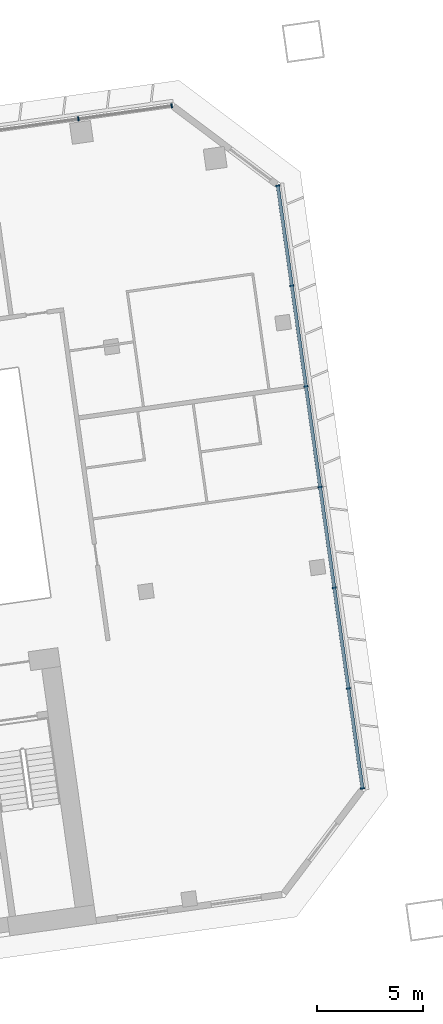
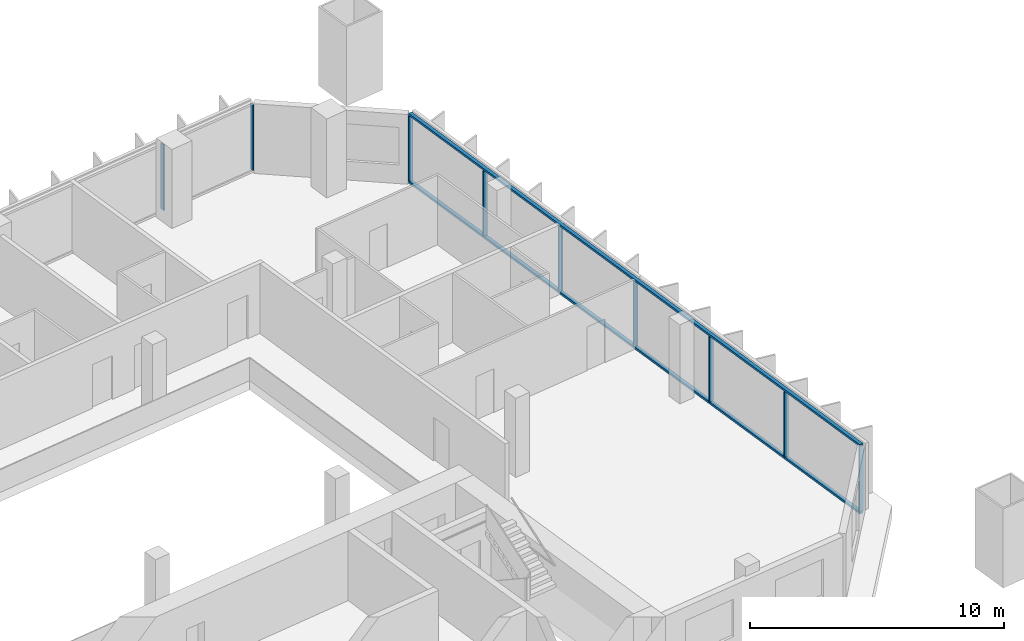
# One storey, part 11 of 24: 11 members, 2 elements without a shape of their own.
"""IFC4 building model written with IfcOpenShell, lengths in metres."""

from ifc_helpers import new_model, si_unit, direction, frame, origin, origin_2d, place, context, subcontext, project, spatial, rectangle, extrude, material, material_profile, profile_set, type_object, element, aggregate, save


model = new_model("IFC4")

# Units and contexts
model_context = context("Model", 3, precision=1e-05, world=origin(), true_north=direction((0.0, 1.0)))
body_context = subcontext(model_context, "Body", "Model", "MODEL_VIEW")
ifc_project = project(units=[si_unit("LENGTHUNIT", "METRE"), si_unit("AREAUNIT", "SQUARE_METRE"), si_unit("VOLUMEUNIT", "CUBIC_METRE"), si_unit("PLANEANGLEUNIT", "RADIAN"), si_unit("MASSUNIT", "GRAM", prefix="KILO")], contexts=[model_context])

# Site, building, storey
site_placement = place(None, origin())
site = spatial("IfcSite", under=ifc_project, at=site_placement, CompositionType="ELEMENT")
building_placement = place(site_placement, origin())
building = spatial("IfcBuilding", under=site, at=building_placement, Name="Mirante Cascada Hotel Towers", CompositionType="ELEMENT")
storey_placement = place(building_placement, frame((0.0, 0.0, 85.1)))
storey = spatial("IfcBuildingStorey", under=building, at=storey_placement, Name="L18", CompositionType="ELEMENT", Elevation=85.1)

# Curtain wall, members
ifc_material_1 = material(Name="Aluminium mullion and transom frame with clear laminated glass", Category="aluminium")
curtain_wall_type_1 = type_object("IfcCurtainWallType", Name="Ribbon curtain wall ECW1", PredefinedType="NOTDEFINED", material=ifc_material_1)
curtain_wall_1_placement = place(storey_placement, origin())
curtain_wall_1 = element("IfcCurtainWall", 1, at=curtain_wall_1_placement, inside=storey, type_object=curtain_wall_type_1, Name="Front ribbon wall T2 L18", PredefinedType="NOTDEFINED")
ifc_material_2 = material(Name="Anodised aluminium extrusion", Category="aluminium")
ifc_material_profile_1 = material_profile(ifc_material_2, rectangle(XDim=0.2, YDim=0.065, at=origin_2d()), Name="ECW1 MULLION 65x200")
ifc_profile_set_1 = profile_set([ifc_material_profile_1], Name="Anodised aluminium extrusion")
member_type_1 = type_object("IfcMemberType", Name="ECW1 mullion 65x200", PredefinedType="MULLION", material=ifc_profile_set_1)
member_1_placement = place(storey_placement, frame((94.126, 26.0476, 0.1), z_axis=(0.0, 0.0, 1.0), x_axis=(0.1391731, -0.9902681, 0.0)))
member_1 = element("IfcMember", 2, at=member_1_placement, type_object=member_type_1, Name="ECW1 mullion 1", PredefinedType="MULLION", context=body_context, shape_type="SweptSolid", body=[
    extrude(rectangle(XDim=0.2, YDim=0.065, at=origin_2d()), origin(), (0.0, 0.0, 1.0), 3.15),
])
member_2_placement = place(storey_placement, frame((89.7107, 25.427, 0.1), z_axis=(0.0, 0.0, 1.0), x_axis=(0.1391731, -0.9902681, 0.0)))
member_2 = element("IfcMember", 3, at=member_2_placement, type_object=member_type_1, Name="ECW1 mullion 2", PredefinedType="MULLION", context=body_context, shape_type="SweptSolid", body=[
    extrude(rectangle(XDim=0.2, YDim=0.065, at=origin_2d()), origin(), (0.0, 0.0, 1.0), 3.15),
])
aggregate(curtain_wall_1, [member_1, member_2])

ifc_material_3 = material(Name="Aluminium mullion and transom frame with clear laminated glass", Category="aluminium")
curtain_wall_type_2 = type_object("IfcCurtainWallType", Name="End ribbon curtain wall ECW2", PredefinedType="NOTDEFINED", material=ifc_material_3)
curtain_wall_2_placement = place(storey_placement, origin())
curtain_wall_2 = element("IfcCurtainWall", 4, at=curtain_wall_2_placement, inside=storey, type_object=curtain_wall_type_2, Name="Outer end wall T2 L18", PredefinedType="NOTDEFINED")
ifc_material_4 = material(Name="Anodised aluminium extrusion", Category="aluminium")
ifc_material_profile_2 = material_profile(ifc_material_4, rectangle(XDim=0.2, YDim=0.065, at=origin_2d()), Name="ECW2 MULLION 65x200")
ifc_profile_set_2 = profile_set([ifc_material_profile_2], Name="Anodised aluminium extrusion")
member_type_2 = type_object("IfcMemberType", Name="ECW2 mullion 65x200", PredefinedType="MULLION", material=ifc_profile_set_2)
member_3_placement = place(storey_placement, frame((103.1556, -6.2656, 0.1), z_axis=(0.0, 0.0, 1.0), x_axis=(-0.9902681, -0.1391731, 0.0)))
member_3 = element("IfcMember", 5, at=member_3_placement, type_object=member_type_2, Name="ECW2 mullion 1", PredefinedType="MULLION", context=body_context, shape_type="SweptSolid", body=[
    extrude(rectangle(XDim=0.2, YDim=0.065, at=origin_2d()), origin(), (0.0, 0.0, 1.0), 3.15),
])
member_4_placement = place(storey_placement, frame((102.4903, -1.532, 0.1), z_axis=(0.0, 0.0, 1.0), x_axis=(-0.9902681, -0.1391731, 0.0)))
member_4 = element("IfcMember", 6, at=member_4_placement, type_object=member_type_2, Name="ECW2 mullion 2", PredefinedType="MULLION", context=body_context, shape_type="SweptSolid", body=[
    extrude(rectangle(XDim=0.2, YDim=0.065, at=origin_2d()), origin(), (0.0, 0.0, 1.0), 3.15),
])
member_5_placement = place(storey_placement, frame((101.8205, 3.2338, 0.1), z_axis=(0.0, 0.0, 1.0), x_axis=(-0.9902681, -0.1391731, 0.0)))
member_5 = element("IfcMember", 7, at=member_5_placement, type_object=member_type_2, Name="ECW2 mullion 3", PredefinedType="MULLION", context=body_context, shape_type="SweptSolid", body=[
    extrude(rectangle(XDim=0.2, YDim=0.065, at=origin_2d()), origin(), (0.0, 0.0, 1.0), 3.15),
])
member_6_placement = place(storey_placement, frame((101.1508, 7.9996, 0.1), z_axis=(0.0, 0.0, 1.0), x_axis=(-0.9902681, -0.1391731, 0.0)))
member_6 = element("IfcMember", 8, at=member_6_placement, type_object=member_type_2, Name="ECW2 mullion 4", PredefinedType="MULLION", context=body_context, shape_type="SweptSolid", body=[
    extrude(rectangle(XDim=0.2, YDim=0.065, at=origin_2d()), origin(), (0.0, 0.0, 1.0), 3.15),
])
member_7_placement = place(storey_placement, frame((100.481, 12.7654, 0.1), z_axis=(0.0, 0.0, 1.0), x_axis=(-0.9902681, -0.1391731, 0.0)))
member_7 = element("IfcMember", 9, at=member_7_placement, type_object=member_type_2, Name="ECW2 mullion 5", PredefinedType="MULLION", context=body_context, shape_type="SweptSolid", body=[
    extrude(rectangle(XDim=0.2, YDim=0.065, at=origin_2d()), origin(), (0.0, 0.0, 1.0), 3.15),
])
member_8_placement = place(storey_placement, frame((99.8112, 17.5312, 0.1), z_axis=(0.0, 0.0, 1.0), x_axis=(-0.9902681, -0.1391731, 0.0)))
member_8 = element("IfcMember", 10, at=member_8_placement, type_object=member_type_2, Name="ECW2 mullion 6", PredefinedType="MULLION", context=body_context, shape_type="SweptSolid", body=[
    extrude(rectangle(XDim=0.2, YDim=0.065, at=origin_2d()), origin(), (0.0, 0.0, 1.0), 3.15),
])
member_9_placement = place(storey_placement, frame((99.1459, 22.2648, 0.1), z_axis=(0.0, 0.0, 1.0), x_axis=(-0.9902681, -0.1391731, 0.0)))
member_9 = element("IfcMember", 11, at=member_9_placement, type_object=member_type_2, Name="ECW2 mullion 7", PredefinedType="MULLION", context=body_context, shape_type="SweptSolid", body=[
    extrude(rectangle(XDim=0.2, YDim=0.065, at=origin_2d()), origin(), (0.0, 0.0, 1.0), 3.15),
])
ifc_material_5 = material(Name="Anodised aluminium extrusion", Category="aluminium")
ifc_material_profile_3 = material_profile(ifc_material_5, rectangle(XDim=0.16, YDim=0.1, at=origin_2d()), Name="ECW2 TRANSOM 100x160")
ifc_profile_set_3 = profile_set([ifc_material_profile_3], Name="Anodised aluminium extrusion")
member_type_3 = type_object("IfcMemberType", Name="ECW2 transom 100x160", PredefinedType="USERDEFINED", material=ifc_profile_set_3)
member_10_placement = place(storey_placement, frame((103.1601, -6.2978, 0.05), z_axis=(-0.1391723, 0.9902682, 0.0), x_axis=(-0.9902682, -0.1391723, 0.0)))
member_10 = element("IfcMember", 12, at=member_10_placement, type_object=member_type_3, Name="ECW2 sill transom", ObjectType="TRANSOM", PredefinedType="USERDEFINED", context=body_context, shape_type="SweptSolid", body=[
    extrude(rectangle(XDim=0.16, YDim=0.1, at=origin_2d()), origin(), (0.0, 0.0, 1.0), 28.8757),
])
member_11_placement = place(storey_placement, frame((103.1601, -6.2978, 3.3), z_axis=(-0.1391723, 0.9902682, 0.0), x_axis=(-0.9902682, -0.1391723, 0.0)))
member_11 = element("IfcMember", 13, at=member_11_placement, type_object=member_type_3, Name="ECW2 head transom", ObjectType="TRANSOM", PredefinedType="USERDEFINED", context=body_context, shape_type="SweptSolid", body=[
    extrude(rectangle(XDim=0.16, YDim=0.1, at=origin_2d()), origin(), (0.0, 0.0, 1.0), 28.8757),
])
aggregate(curtain_wall_2, [member_10, member_11, member_3, member_4, member_5, member_6, member_7, member_8, member_9])

save(model, "model.ifc")
